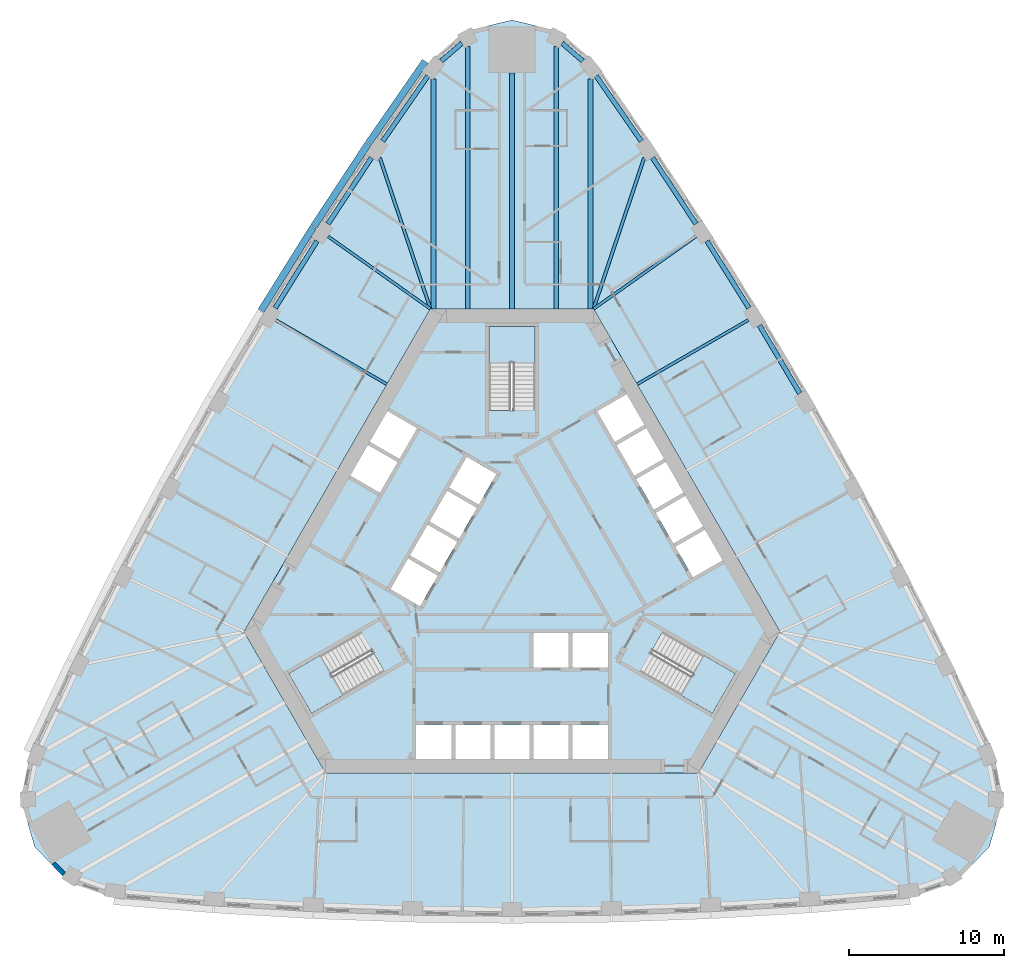
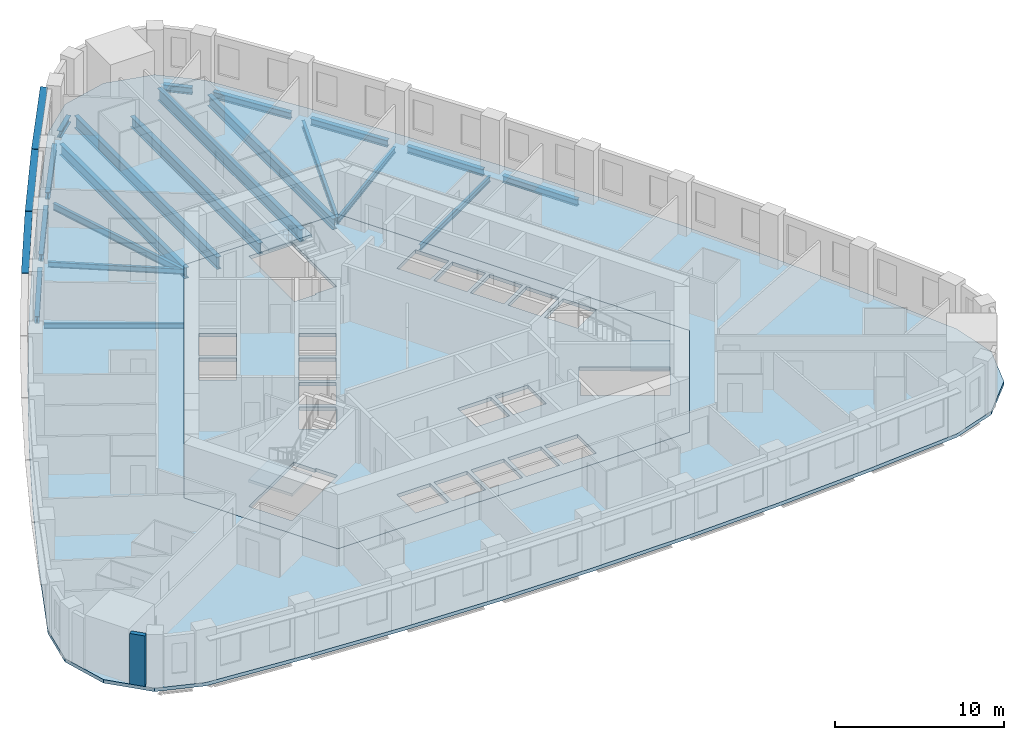
# One storey, part 2 of 12: 20 beams, 5 slabs, 3 members, 1 wall, 3 elements without a shape of their own.
"""IFC4 building model written with IfcOpenShell, lengths in metres."""

from ifc_helpers import new_model, si_unit, direction, frame, frame_2d, origin, origin_2d, place, context, subcontext, project, spatial, polyline, rectangle, i_section, outline, extrude, material, layer, layer_set, material_profile, profile_set, type_object, element, aggregate, save


model = new_model("IFC4")

# Units and contexts
model_context = context("Model", 3, precision=1e-05, world=origin(), true_north=direction((0.0, 1.0)))
body_context = subcontext(model_context, "Body", "Model", "MODEL_VIEW")
ifc_project = project(units=[si_unit("LENGTHUNIT", "METRE"), si_unit("AREAUNIT", "SQUARE_METRE"), si_unit("VOLUMEUNIT", "CUBIC_METRE"), si_unit("PLANEANGLEUNIT", "RADIAN"), si_unit("MASSUNIT", "GRAM", prefix="KILO")], contexts=[model_context])

# Site, building, storey
site_placement = place(None, origin())
site = spatial("IfcSite", under=ifc_project, at=site_placement, CompositionType="ELEMENT")
building_placement = place(site_placement, origin())
building = spatial("IfcBuilding", under=site, at=building_placement, Name="Mestral Congress Tower", CompositionType="ELEMENT")
storey_placement = place(building_placement, frame((0.0, 0.0, 126.60009765625)))
storey = spatial("IfcBuildingStorey", under=building, at=storey_placement, Name="L30", CompositionType="ELEMENT", Elevation=126.60009765625)

# Members
ifc_material_1 = material(Name="Glazed ceramic", Category="masonry")
ifc_material_profile_1 = material_profile(ifc_material_1, rectangle(XDim=0.449951171875, YDim=0.06005859375, at=origin_2d()), Name="Ceramic blade 450 x 60")
ifc_profile_set_1 = profile_set([ifc_material_profile_1], Name="Glazed ceramic")
member_type = type_object("IfcMemberType", Name="Facade sunshade blade 450 x 60", PredefinedType="USERDEFINED", material=ifc_profile_set_1)
member_placement = place(storey_placement, frame((-5.590576171875, 32.8505859375, 3.27978515625), z_axis=(-0.569144736399, -0.822237355652, 0.0), x_axis=(0.822237355652, -0.569144736399, 0.0)))
element("IfcMember", 1, at=member_placement, inside=storey, type_object=member_type, Name="Sunshade F2-00", ObjectType="SUNSHADE", PredefinedType="USERDEFINED", context=body_context, shape_type="SweptSolid", body=[
    extrude(rectangle(XDim=0.449951171875, YDim=0.06005859375, at=origin_2d()), origin(), (0.0, 0.0, 1.0), 6.421630859375),
])
for number, where, z_axis, x_axis, name in (
    (2, (-9.2705078125, 27.532958984375, 3.27978515625), (-0.549764307833, -0.835319822483, 0.0), (0.835319822483, -0.549764307833, 0.0), "Sunshade F2-01"),
    (3, (-12.797119140625, 22.173583984375, 3.27978515625), (-0.530060946156, -0.847959547007, 0.0), (0.847959547007, -0.530060946156, 0.0), "Sunshade F2-02"),
):
    element("IfcMember", number, at=place(storey_placement, frame(where, z_axis=z_axis, x_axis=x_axis)), inside=storey, type_object=member_type, Name=name, ObjectType="SUNSHADE", PredefinedType="USERDEFINED", context=body_context, shape_type="SweptSolid", body=[
        extrude(rectangle(XDim=0.449951171875, YDim=0.06005859375, at=origin_2d()), origin(), (0.0, 0.0, 1.0), 6.370361328125),
    ])

# Beams
ifc_material_2 = material(Name="Steel S355", Category="steel")
ifc_material_profile_2 = material_profile(ifc_material_2, i_section(OverallWidth=0.300048828125, OverallDepth=0.800048828125, WebThickness=0.017578125, FlangeThickness=0.032958984375, FilletRadius=0.030029296875, at=origin_2d()), Name="HEB 800")
ifc_profile_set_2 = profile_set([ifc_material_profile_2], Name="Steel S355")
beam_type_1 = type_object("IfcBeamType", Name="Floor beam HEB 800 S355", PredefinedType="BEAM", material=ifc_profile_set_2)
beam_1_placement = place(storey_placement, frame((5.056396484375, 31.72412109375, -0.650146484375), z_axis=(0.0, -1.0, 0.0), x_axis=(1.0, 0.0, 0.0)))
element("IfcBeam", 4, at=beam_1_placement, inside=storey, type_object=beam_type_1, Name="BM-L30-RB2-E08", PredefinedType="BEAM", context=body_context, shape_type="SweptSolid", body=[
    extrude(i_section(OverallWidth=0.300048828125, OverallDepth=0.800048828125, WebThickness=0.017578125, FlangeThickness=0.032958984375, FilletRadius=0.030029296875, at=origin_2d()), origin(), (0.0, 0.0, 1.0), 14.82421875),
])
beam_2_placement = place(storey_placement, frame((0.0, 32.098388671875, -0.650146484375), z_axis=(0.0, -1.0, 0.0), x_axis=(1.0, 0.0, 0.0)))
element("IfcBeam", 5, at=beam_2_placement, inside=storey, type_object=beam_type_1, Name="BM-L30-RB2-N", PredefinedType="BEAM", context=body_context, shape_type="SweptSolid", body=[
    extrude(i_section(OverallWidth=0.300048828125, OverallDepth=0.800048828125, WebThickness=0.017578125, FlangeThickness=0.032958984375, FilletRadius=0.030029296875, at=origin_2d()), origin(), (0.0, 0.0, 1.0), 15.198486328125),
])
beam_3_placement = place(storey_placement, frame((-5.056396484375, 31.72412109375, -0.650146484375), z_axis=(0.0, -1.0, 0.0), x_axis=(1.0, 0.0, 0.0)))
element("IfcBeam", 6, at=beam_3_placement, inside=storey, type_object=beam_type_1, Name="BM-L30-RB2-W00", PredefinedType="BEAM", context=body_context, shape_type="SweptSolid", body=[
    extrude(i_section(OverallWidth=0.300048828125, OverallDepth=0.800048828125, WebThickness=0.017578125, FlangeThickness=0.032958984375, FilletRadius=0.030029296875, at=origin_2d()), origin(), (0.0, 0.0, 1.0), 14.82421875),
])
ifc_material_profile_3 = material_profile(ifc_material_2, i_section(OverallWidth=0.300048828125, OverallDepth=0.89990234375, WebThickness=0.0185546875, FlangeThickness=0.034912109375, FilletRadius=0.030029296875, at=origin_2d()), Name="HEB 900")
ifc_profile_set_3 = profile_set([ifc_material_profile_3], Name="Steel S355")
beam_type_2 = type_object("IfcBeamType", Name="Floor beam HEB 900 S355", PredefinedType="BEAM", material=ifc_profile_set_3)
for number, where, z_axis, x_axis, name in (
    (7, (2.845703125, 33.794189453125, -0.7001953125), (0.0, -1.0, 0.0), (1.0, 0.0, 0.0), "BM-L30-RB2-N1"),
    (8, (-2.845703125, 33.794189453125, -0.7001953125), (0.0, -1.0, 0.0), (1.0, 0.0, 0.0), "BM-L30-RB2-N3"),
):
    element("IfcBeam", number, at=place(storey_placement, frame(where, z_axis=z_axis, x_axis=x_axis)), inside=storey, type_object=beam_type_2, Name=name, PredefinedType="BEAM", context=body_context, shape_type="SweptSolid", body=[
        extrude(i_section(OverallWidth=0.300048828125, OverallDepth=0.89990234375, WebThickness=0.0185546875, FlangeThickness=0.034912109375, FilletRadius=0.030029296875, at=origin_2d()), origin(), (0.0, 0.0, 1.0), 16.894287109375),
    ])
ifc_material_profile_4 = material_profile(ifc_material_2, i_section(OverallWidth=0.179931640625, OverallDepth=0.39990234375, WebThickness=0.008544921875, FlangeThickness=0.013427734375, FilletRadius=0.02099609375, at=origin_2d()), Name="IPE 400")
ifc_profile_set_4 = profile_set([ifc_material_profile_4], Name="Steel S355")
beam_type_3 = type_object("IfcBeamType", Name="Floor beam IPE 400 S355", PredefinedType="BEAM", material=ifc_profile_set_4)
beam_4_placement = place(storey_placement, frame((15.219482421875, 16.176513671875, -0.4501953125), z_axis=(-0.866015952286, -0.500016370119, 0.0), x_axis=(0.500016370119, -0.866015952286, 0.0)))
element("IfcBeam", 9, at=beam_4_placement, inside=storey, type_object=beam_type_3, Name="BM-L30-RB2-E05", PredefinedType="BEAM", context=body_context, shape_type="SweptSolid", body=[
    extrude(i_section(OverallWidth=0.179931640625, OverallDepth=0.39990234375, WebThickness=0.008544921875, FlangeThickness=0.013427734375, FilletRadius=0.02099609375, at=origin_2d()), origin(), (0.0, 0.0, 1.0), 8.268798828125),
])
for number, where, z_axis, x_axis, name in (
    (10, (11.849365234375, 21.568115234375, -0.4501953125), (-0.816232852676, -0.577723056673, 0.0), (0.577723056673, -0.816232852676, 0.0), "BM-L30-RB2-E06"),
    (11, (-11.849365234375, 21.568115234375, -0.4501953125), (0.816232852676, -0.577723056673, 0.0), (0.577723056673, 0.816232852676, 0.0), "BM-L30-RB2-W02"),
):
    element("IfcBeam", number, at=place(storey_placement, frame(where, z_axis=z_axis, x_axis=x_axis)), inside=storey, type_object=beam_type_3, Name=name, PredefinedType="BEAM", context=body_context, shape_type="SweptSolid", body=[
        extrude(i_section(OverallWidth=0.179931640625, OverallDepth=0.39990234375, WebThickness=0.008544921875, FlangeThickness=0.013427734375, FilletRadius=0.02099609375, at=origin_2d()), origin(), (0.0, 0.0, 1.0), 8.080322265625),
    ])
beam_5_placement = place(storey_placement, frame((-15.219482421875, 16.176513671875, -0.4501953125), z_axis=(0.866015952286, -0.500016370119, 0.0), x_axis=(0.500016370119, 0.866015952286, 0.0)))
element("IfcBeam", 12, at=beam_5_placement, inside=storey, type_object=beam_type_3, Name="BM-L30-RB2-W03", PredefinedType="BEAM", context=body_context, shape_type="SweptSolid", body=[
    extrude(i_section(OverallWidth=0.179931640625, OverallDepth=0.39990234375, WebThickness=0.008544921875, FlangeThickness=0.013427734375, FilletRadius=0.02099609375, at=origin_2d()), origin(), (0.0, 0.0, 1.0), 8.268798828125),
])
ifc_material_profile_5 = material_profile(ifc_material_2, i_section(OverallWidth=0.199951171875, OverallDepth=0.5, WebThickness=0.01025390625, FlangeThickness=0.01611328125, FilletRadius=0.02099609375, at=origin_2d()), Name="IPE 500")
ifc_profile_set_5 = profile_set([ifc_material_profile_5], Name="Steel S355")
beam_type_4 = type_object("IfcBeamType", Name="Floor beam IPE 500 S355", PredefinedType="BEAM", material=ifc_profile_set_5)
for number, where, z_axis, x_axis, name in (
    (13, (8.5185546875, 26.636962890625, -0.5), (-0.317888994992, -0.948127938025, 0.0), (0.948127938025, -0.317888994992, 0.0), "BM-L30-RB2-E07"),
    (14, (-8.5185546875, 26.636962890625, -0.5), (0.317888994992, -0.948127938025, 0.0), (0.948127938025, 0.317888994992, 0.0), "BM-L30-RB2-W01"),
):
    element("IfcBeam", number, at=place(storey_placement, frame(where, z_axis=z_axis, x_axis=x_axis)), inside=storey, type_object=beam_type_4, Name=name, PredefinedType="BEAM", context=body_context, shape_type="SweptSolid", body=[
        extrude(i_section(OverallWidth=0.199951171875, OverallDepth=0.5, WebThickness=0.01025390625, FlangeThickness=0.01611328125, FilletRadius=0.02099609375, at=origin_2d()), origin(), (0.0, 0.0, 1.0), 10.269775390625),
    ])
ifc_material_profile_6 = material_profile(ifc_material_2, i_section(OverallWidth=0.300048828125, OverallDepth=0.489990234375, WebThickness=0.011962890625, FlangeThickness=0.02294921875, FilletRadius=0.027099609375, at=origin_2d()), Name="HEA 500")
ifc_profile_set_6 = profile_set([ifc_material_profile_6], Name="Steel S355")
beam_type_5 = type_object("IfcBeamType", Name="Spandrel beam HEA 500 S355", PredefinedType="BEAM", material=ifc_profile_set_6)
for number, where, z_axis, x_axis, name in (
    (15, (18.542236328125, 11.455810546875, -0.4951171875), (-0.510081870963, 0.860125854114, 0.0), (-0.860125854114, -0.510081870963, 0.0), "SP-L30-SB2-E04"),
    (16, (15.2646484375, 16.95263671875, -0.4951171875), (-0.530046273959, 0.847968718446, 0.0), (-0.847968718446, -0.530046273959, 0.0), "SP-L30-SB2-E05"),
):
    element("IfcBeam", number, at=place(storey_placement, frame(where, z_axis=z_axis, x_axis=x_axis)), inside=storey, type_object=beam_type_5, Name=name, PredefinedType="BEAM", context=body_context, shape_type="SweptSolid", body=[
        extrude(i_section(OverallWidth=0.300048828125, OverallDepth=0.489990234375, WebThickness=0.011962890625, FlangeThickness=0.02294921875, FilletRadius=0.027099609375, at=origin_2d()), origin(), (0.0, 0.0, 1.0), 5.099853515625),
    ])
beam_6_placement = place(storey_placement, frame((11.859619140625, 22.371337890625, -0.4951171875), z_axis=(-0.549729920898, 0.835342453171, 0.0), x_axis=(-0.835342453171, -0.549729920898, 0.0)))
element("IfcBeam", 17, at=beam_6_placement, inside=storey, type_object=beam_type_5, Name="SP-L30-SB2-E06", PredefinedType="BEAM", context=body_context, shape_type="SweptSolid", body=[
    extrude(i_section(OverallWidth=0.300048828125, OverallDepth=0.489990234375, WebThickness=0.011962890625, FlangeThickness=0.02294921875, FilletRadius=0.027099609375, at=origin_2d()), origin(), (0.0, 0.0, 1.0), 5.099609375),
])
beam_7_placement = place(storey_placement, frame((8.32861328125, 27.708740234375, -0.4951171875), z_axis=(-0.569105377225, 0.822264598298, 0.0), x_axis=(-0.822264598298, -0.569105377225, 0.0)))
element("IfcBeam", 18, at=beam_7_placement, inside=storey, type_object=beam_type_5, Name="SP-L30-SB2-E07", PredefinedType="BEAM", context=body_context, shape_type="SweptSolid", body=[
    extrude(i_section(OverallWidth=0.300048828125, OverallDepth=0.489990234375, WebThickness=0.011962890625, FlangeThickness=0.02294921875, FilletRadius=0.027099609375, at=origin_2d()), origin(), (0.0, 0.0, 1.0), 5.09765625),
])
for number, where, z_axis, x_axis, name in (
    (19, (4.558349609375, 32.869140625, -0.4951171875), (-0.754917058401, 0.655820276398, 0.0), (-0.655820276398, -0.754917058401, 0.0), "SP-L30-SB2-E08"),
    (20, (-3.234130859375, 34.01953125, -0.4951171875), (-0.754917058401, -0.655820276398, 0.0), (0.655820276398, -0.754917058401, 0.0), "SP-L30-SB2-N3"),
):
    element("IfcBeam", number, at=place(storey_placement, frame(where, z_axis=z_axis, x_axis=x_axis)), inside=storey, type_object=beam_type_5, Name=name, PredefinedType="BEAM", context=body_context, shape_type="SweptSolid", body=[
        extrude(i_section(OverallWidth=0.300048828125, OverallDepth=0.489990234375, WebThickness=0.011962890625, FlangeThickness=0.02294921875, FilletRadius=0.027099609375, at=origin_2d()), origin(), (0.0, 0.0, 1.0), 1.754150390625),
    ])
beam_8_placement = place(storey_placement, frame((-5.427490234375, 31.900390625, -0.4951171875), z_axis=(-0.569105377225, -0.822264598298, 0.0), x_axis=(0.822264598298, -0.569105377225, 0.0)))
element("IfcBeam", 21, at=beam_8_placement, inside=storey, type_object=beam_type_5, Name="SP-L30-SB2-W00", PredefinedType="BEAM", context=body_context, shape_type="SweptSolid", body=[
    extrude(i_section(OverallWidth=0.300048828125, OverallDepth=0.489990234375, WebThickness=0.011962890625, FlangeThickness=0.02294921875, FilletRadius=0.027099609375, at=origin_2d()), origin(), (0.0, 0.0, 1.0), 5.09765625),
])
beam_9_placement = place(storey_placement, frame((-9.05615234375, 26.63134765625, -0.4951171875), z_axis=(-0.549729920898, -0.835342453171, 0.0), x_axis=(0.835342453171, -0.549729920898, 0.0)))
element("IfcBeam", 22, at=beam_9_placement, inside=storey, type_object=beam_type_5, Name="SP-L30-SB2-W01", PredefinedType="BEAM", context=body_context, shape_type="SweptSolid", body=[
    extrude(i_section(OverallWidth=0.300048828125, OverallDepth=0.489990234375, WebThickness=0.011962890625, FlangeThickness=0.02294921875, FilletRadius=0.027099609375, at=origin_2d()), origin(), (0.0, 0.0, 1.0), 5.099609375),
])
beam_10_placement = place(storey_placement, frame((-12.5615234375, 21.277099609375, -0.4951171875), z_axis=(-0.530046273959, -0.847968718446, 0.0), x_axis=(0.847968718446, -0.530046273959, 0.0)))
element("IfcBeam", 23, at=beam_10_placement, inside=storey, type_object=beam_type_5, Name="SP-L30-SB2-W02", PredefinedType="BEAM", context=body_context, shape_type="SweptSolid", body=[
    extrude(i_section(OverallWidth=0.300048828125, OverallDepth=0.489990234375, WebThickness=0.011962890625, FlangeThickness=0.02294921875, FilletRadius=0.027099609375, at=origin_2d()), origin(), (0.0, 0.0, 1.0), 5.099853515625),
])

# Slabs
ifc_material_3 = material(Name="Concrete C35/45", Category="concrete")
ifc_layer_1 = layer(ifc_material_3, 0.25)
ifc_layer_set_1 = layer_set([ifc_layer_1], Name="Concrete C35/45")
slab_type_1 = type_object("IfcSlabType", Name="Composite floor slab 250", PredefinedType="FLOOR", material=ifc_layer_set_1)
placement_1 = place(storey_placement, frame((0.0, 0.0, -0.25)))
element("IfcSlab", 24, at=placement_1, inside=storey, type_object=slab_type_1, Name="SL-L30", PredefinedType="FLOOR", context=body_context, shape_type="SweptSolid", body=[
    extrude(outline(polyline([(-25.656005859375, -21.041015625), (-28.581298828125, -20.03271484375), (-30.75390625, -17.755859375), (-31.639404296875, -14.73583984375), (-31.050048828125, -11.697998046875), (-28.28759765625, -5.856689453125), (-25.412109375, -0.12744140625), (-22.403564453125, 5.533203125), (-19.263671875, 11.121826171875), (-15.99365234375, 16.635498046875), (-12.595703125, 22.0712890625), (-9.07177734375, 27.426025390625), (-5.39404296875, 32.739013671875), (-3.05810546875, 34.768310546875), (0.0, 35.51171875), (3.05810546875, 34.768310546875), (5.39404296875, 32.739013671875), (9.07177734375, 27.426025390625), (12.595703125, 22.0712890625), (15.99365234375, 16.635498046875), (19.263671875, 11.121826171875), (22.403564453125, 5.533203125), (25.412109375, -0.12744140625), (28.28759765625, -5.856689453125), (31.050048828125, -11.697998046875), (31.639404296875, -14.73583984375), (30.75390625, -17.755859375), (28.581298828125, -20.03271484375), (25.656005859375, -21.041015625), (19.2158203125, -21.5693359375), (12.81640625, -21.94384765625), (6.409912109375, -22.168701171875), (0.0, -22.24365234375), (-6.409912109375, -22.168701171875), (-12.81640625, -21.94384765625), (-19.2158203125, -21.5693359375), (-25.656005859375, -21.041015625)]), holes=[polyline([(-5.25390625, 16.89990234375), (-17.2626953125, -3.89990234375), (-12.0087890625, -13.0), (12.0087890625, -13.0), (17.2626953125, -3.89990234375), (5.25390625, 16.89990234375), (-5.25390625, 16.89990234375)])]), origin(), (0.0, 0.0, 1.0), 0.25),
])
ifc_material_4 = material(Name="Concrete C60/75", Category="concrete")
ifc_layer_2 = layer(ifc_material_4, 0.25)
ifc_layer_set_2 = layer_set([ifc_layer_2], Name="Concrete C60/75")
slab_type_2 = type_object("IfcSlabType", Name="Core floor slab RC 250", PredefinedType="FLOOR", material=ifc_layer_set_2)
element("IfcSlab", 25, at=placement_1, inside=storey, type_object=slab_type_2, Name="L30 core floor", PredefinedType="FLOOR", context=body_context, shape_type="SweptSolid", body=[
    extrude(outline(polyline([(12.0087890625, -13.0), (-12.0087890625, -13.0), (-17.2626953125, -3.89990234375), (-5.25390625, 16.89990234375), (5.25390625, 16.89990234375), (17.2626953125, -3.89990234375), (12.0087890625, -13.0)]), holes=[polyline([(-3.905029296875, -9.89990234375), (-6.175048828125, -9.89990234375), (-6.175048828125, -12.10009765625), (-3.905029296875, -12.10009765625), (-3.905029296875, -9.89990234375)]), polyline([(-1.385009765625, -9.89990234375), (-3.655029296875, -9.89990234375), (-3.655029296875, -12.10009765625), (-1.385009765625, -12.10009765625), (-1.385009765625, -9.89990234375)]), polyline([(1.135009765625, -9.89990234375), (-1.135009765625, -9.89990234375), (-1.135009765625, -12.10009765625), (1.135009765625, -12.10009765625), (1.135009765625, -9.89990234375)]), polyline([(-9.0673828125, -5.235107421875), (-9.8046875, -3.95751953125), (-14.37744140625, -6.59765625), (-12.90234375, -9.15234375), (-8.234619140625, -6.45751953125), (-8.971923828125, -5.179931640625), (-9.0673828125, -5.235107421875)]), polyline([(-7.826904296875, -1.156494140625), (-5.921630859375, -2.256591796875), (-4.78662109375, -0.29052734375), (-6.69189453125, 0.809326171875), (-7.826904296875, -1.156494140625)]), polyline([(-4.66162109375, -0.07421875), (-3.526611328125, 1.8916015625), (-5.431884765625, 2.99169921875), (-6.56689453125, 1.02587890625), (-4.66162109375, -0.07421875)]), polyline([(-3.401611328125, 2.1083984375), (-2.2666015625, 4.07421875), (-4.171875, 5.174072265625), (-5.306884765625, 3.208251953125), (-3.401611328125, 2.1083984375)]), polyline([(-2.1416015625, 4.29052734375), (-1.006591796875, 6.256591796875), (-2.911865234375, 7.3564453125), (-4.046875, 5.390625), (-2.1416015625, 4.29052734375)]), polyline([(-10.41650390625, 6.158203125), (-8.51123046875, 5.058349609375), (-7.376220703125, 7.024169921875), (-9.281494140625, 8.1240234375), (-10.41650390625, 6.158203125)]), polyline([(-9.156494140625, 8.340576171875), (-7.251220703125, 7.240478515625), (-6.1162109375, 9.20654296875), (-8.021484375, 10.306396484375), (-9.156494140625, 8.340576171875)]), polyline([(1.47509765625, 10.469970703125), (1.47509765625, 15.75), (-1.47509765625, 15.75), (-1.47509765625, 10.360107421875), (0.0, 10.360107421875), (0.0, 10.469970703125), (1.47509765625, 10.469970703125)]), polyline([(3.655029296875, -9.89990234375), (1.385009765625, -9.89990234375), (1.385009765625, -12.10009765625), (3.655029296875, -12.10009765625), (3.655029296875, -9.89990234375)]), polyline([(6.175048828125, -9.89990234375), (3.905029296875, -9.89990234375), (3.905029296875, -12.10009765625), (6.175048828125, -12.10009765625), (6.175048828125, -9.89990234375)]), polyline([(9.0673828125, -5.235107421875), (8.329833984375, -6.512451171875), (12.90234375, -9.15234375), (14.37744140625, -6.59765625), (9.70947265625, -3.902587890625), (8.971923828125, -5.179931640625), (9.0673828125, -5.235107421875)]), polyline([(3.655029296875, -6.199951171875), (3.655029296875, -4.0), (1.385009765625, -4.0), (1.385009765625, -6.199951171875), (3.655029296875, -6.199951171875)]), polyline([(6.175048828125, -4.0), (3.905029296875, -4.0), (3.905029296875, -6.199951171875), (6.175048828125, -6.199951171875), (6.175048828125, -4.0)]), polyline([(12.431396484375, 2.668212890625), (10.526123046875, 1.568115234375), (11.6611328125, -0.397705078125), (13.56640625, 0.702392578125), (12.431396484375, 2.668212890625)]), polyline([(11.17138671875, 4.8505859375), (9.26611328125, 3.75048828125), (10.401123046875, 1.78466796875), (12.306396484375, 2.884765625), (11.17138671875, 4.8505859375)]), polyline([(8.006103515625, 5.932861328125), (9.14111328125, 3.967041015625), (11.04638671875, 5.067138671875), (9.911376953125, 7.032958984375), (8.006103515625, 5.932861328125)]), polyline([(8.6513671875, 9.21533203125), (6.74609375, 8.115234375), (7.881103515625, 6.1494140625), (9.786376953125, 7.24951171875), (8.6513671875, 9.21533203125)]), polyline([(7.391357421875, 11.397705078125), (5.486083984375, 10.297607421875), (6.62109375, 8.331787109375), (8.5263671875, 9.431884765625), (7.391357421875, 11.397705078125)])]), origin(), (0.0, 0.0, 1.0), 0.25),
])

# Stair, slab
stair_type = type_object("IfcStairType", Name="Exit stair 1400", PredefinedType="HALF_TURN_STAIR", material=ifc_material_4)
placement_2 = place(storey_placement, origin())
stair_1 = element("IfcStair", 26, at=placement_2, inside=storey, type_object=stair_type, Name="L30 ST1", PredefinedType="HALF_TURN_STAIR")
ifc_layer_3 = layer(ifc_material_4, 0.199951171875)
ifc_layer_set_3 = layer_set([ifc_layer_3], Name="Concrete C60/75")
slab_type_3 = type_object("IfcSlabType", Name="Exit stair landing 200", PredefinedType="LANDING", material=ifc_layer_set_3)
placement_3 = place(storey_placement, frame((0.0, 0.0, 1.75)))
slab_3 = element("IfcSlab", 27, at=placement_3, type_object=slab_type_3, Name="ST1 landing 1", PredefinedType="LANDING", context=body_context, shape_type="SweptSolid", body=[
    extrude(outline(polyline([(10.879638671875, -7.99609375), (12.364501953125, -5.424072265625), (14.39111328125, -6.593994140625), (12.906005859375, -9.166015625), (10.879638671875, -7.99609375)])), origin(), (0.0, 0.0, 1.0), 0.199951171875),
])
aggregate(stair_1, [slab_3])

stair_2 = element("IfcStair", 28, at=placement_2, inside=storey, type_object=stair_type, Name="L30 ST2", PredefinedType="HALF_TURN_STAIR")
slab_4 = element("IfcSlab", 29, at=placement_3, type_object=slab_type_3, Name="ST2 landing 1", PredefinedType="LANDING", context=body_context, shape_type="SweptSolid", body=[
    extrude(outline(polyline([(1.485107421875, 13.419921875), (-1.485107421875, 13.419921875), (-1.485107421875, 15.760009765625), (1.485107421875, 15.760009765625), (1.485107421875, 13.419921875)])), origin(), (0.0, 0.0, 1.0), 0.199951171875),
])
aggregate(stair_2, [slab_4])

stair_3 = element("IfcStair", 30, at=placement_2, inside=storey, type_object=stair_type, Name="L30 ST3", PredefinedType="HALF_TURN_STAIR")
slab_5 = element("IfcSlab", 31, at=placement_3, type_object=slab_type_3, Name="ST3 landing 1", PredefinedType="LANDING", context=body_context, shape_type="SweptSolid", body=[
    extrude(outline(polyline([(-12.364501953125, -5.424072265625), (-10.879638671875, -7.99609375), (-12.906005859375, -9.166015625), (-14.39111328125, -6.593994140625), (-12.364501953125, -5.424072265625)])), origin(), (0.0, 0.0, 1.0), 0.199951171875),
])
aggregate(stair_3, [slab_5])

# Wall
ifc_material_5 = material(Name="Precast concrete C40/50 with limestone facing", Category="masonry")
ifc_layer_4 = layer(ifc_material_5, 0.2900390625)
ifc_layer_set_4 = layer_set([ifc_layer_4], Name="Precast concrete C40/50 with limestone facing")
wall_type = type_object("IfcWallType", Name="Facade stone wall 290", PredefinedType="SOLIDWALL", material=ifc_layer_set_4)
wall_placement = place(storey_placement, frame((-29.5341796875, -18.82421875, 0.0), z_axis=(0.0, 0.0, 1.0), x_axis=(0.690414427296, -0.723414071319, 0.0)))
element("IfcWall", 32, at=wall_placement, inside=storey, type_object=wall_type, Name="Facade wall K2-2", PredefinedType="SOLIDWALL", context=body_context, shape_type="SweptSolid", body=[
    extrude(rectangle(XDim=0.947021484375, YDim=0.2900390625, at=frame_2d((0.4736328125, 0.0))), origin(), (0.0, 0.0, 1.0), 3.64990234375),
])

save(model, "model.ifc")
